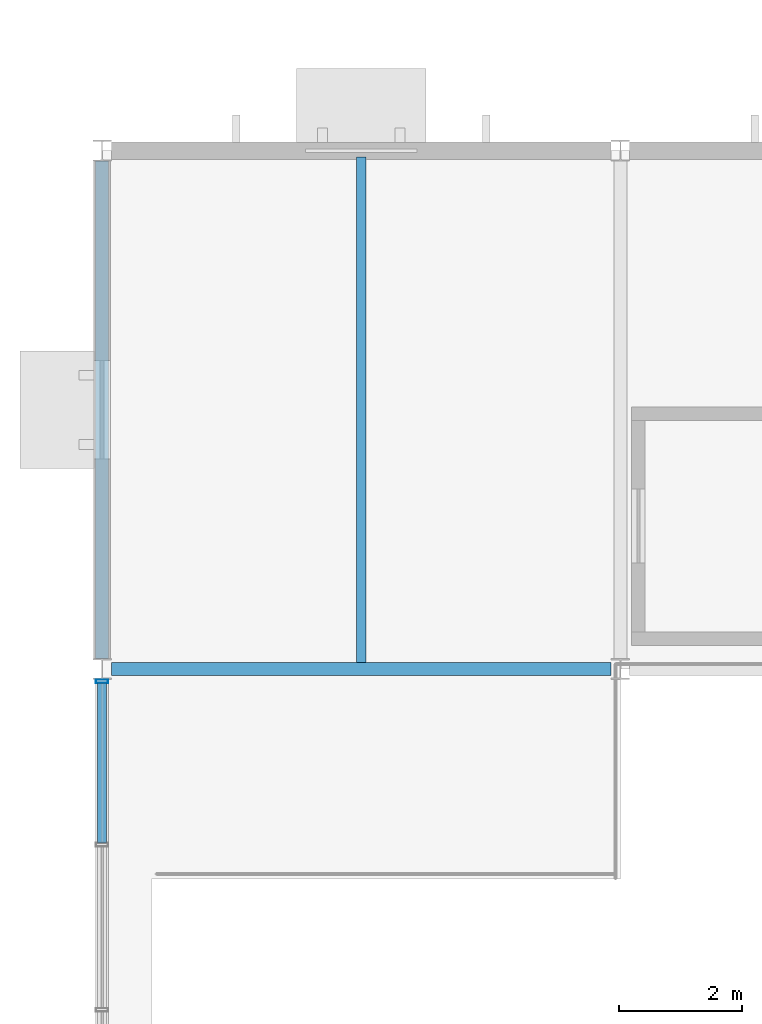
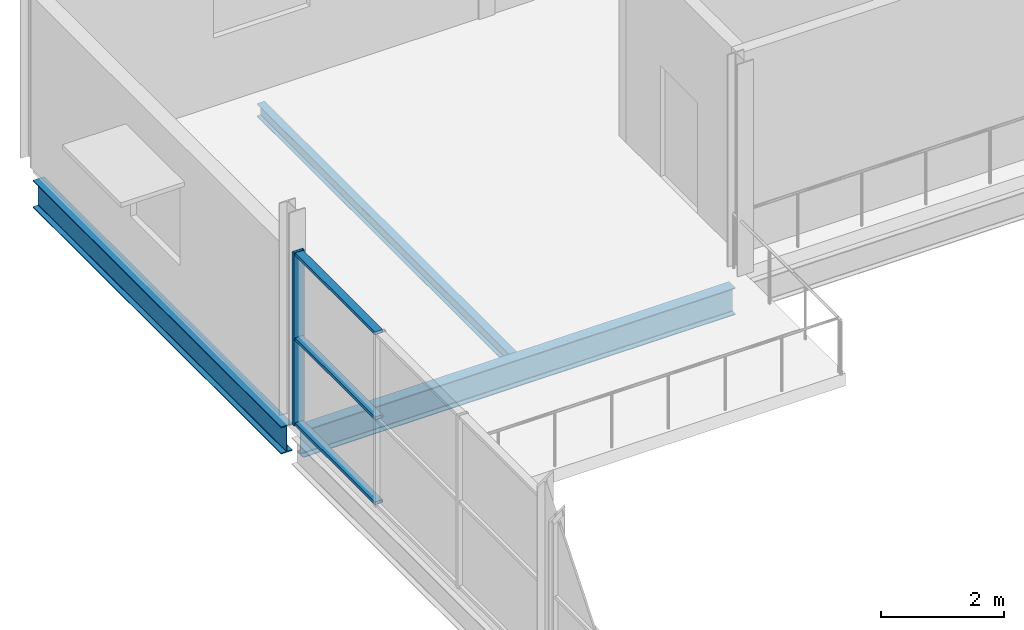
# One storey, part 20 of 68: 4 members, 3 beams, 1 element without a shape of its own.
"""IFC4 building model written with IfcOpenShell, lengths in metres."""

from ifc_helpers import new_model, si_unit, direction, frame, origin, origin_2d, place, context, subcontext, project, spatial, hollow_rectangle, i_section, extrude, material, material_profile, profile_set, type_object, element, aggregate, save


model = new_model("IFC4")

# Units and contexts
model_context = context("Model", 3, precision=1e-05, world=origin(), true_north=direction((0.0, 1.0)))
body_context = subcontext(model_context, "Body", "Model", "MODEL_VIEW")
ifc_project = project(units=[si_unit("LENGTHUNIT", "METRE"), si_unit("AREAUNIT", "SQUARE_METRE"), si_unit("VOLUMEUNIT", "CUBIC_METRE"), si_unit("PLANEANGLEUNIT", "RADIAN"), si_unit("MASSUNIT", "GRAM", prefix="KILO"), si_unit("THERMODYNAMICTEMPERATUREUNIT", "KELVIN")], contexts=[model_context])

# Site, building, storey
site_placement = place(None, origin())
site = spatial("IfcSite", under=ifc_project, at=site_placement, CompositionType="ELEMENT")
building_placement = place(site_placement, origin())
building = spatial("IfcBuilding", under=site, at=building_placement, Name="Nduvali Passage Aquatics Centre", CompositionType="ELEMENT")
storey_placement = place(building_placement, frame((0.0, 0.0, 13.199951171875)))
storey = spatial("IfcBuildingStorey", under=building, at=storey_placement, Name="L03", CompositionType="ELEMENT", Elevation=13.199951171875)

# Curtain wall, members
ifc_material_1 = material(Name="Aluminium EN AW-6063 T6", Category="aluminium")
curtain_wall_type = type_object("IfcCurtainWallType", Name="ENV-CW-DIVE", PredefinedType="NOTDEFINED", material=ifc_material_1)
curtain_wall_placement = place(storey_placement, origin())
curtain_wall = element("IfcCurtainWall", 1, at=curtain_wall_placement, inside=storey, type_object=curtain_wall_type, Name="L03 West Diving 10m Tower Clerestory CW 145", PredefinedType="NOTDEFINED")
ifc_material_profile_1 = material_profile(ifc_material_1, hollow_rectangle(XDim=0.06005859375, YDim=0.199951171875, WallThickness=0.00390625, at=origin_2d()), Name="ALU MULLION 60x200x4")
ifc_profile_set_1 = profile_set([ifc_material_profile_1], Name="Aluminium EN AW-6063 T6")
member_type_1 = type_object("IfcMemberType", Name="ENV-MEM-MUL80", PredefinedType="MULLION", material=ifc_profile_set_1)
member_1_placement = place(storey_placement, frame((0.0, 75.39990234375, 0.0), z_axis=(0.0, 0.0, 1.0), x_axis=(0.0, 1.0, 0.0)))
member_1 = element("IfcMember", 2, at=member_1_placement, type_object=member_type_1, Name="West Diving 10m Tower Clerestory CW Mullion 4", PredefinedType="MULLION", context=body_context, shape_type="SweptSolid", body=[
    extrude(hollow_rectangle(XDim=0.06005859375, YDim=0.199951171875, WallThickness=0.00390625, at=origin_2d()), origin(), (0.0, 0.0, 1.0), 3.4267578125),
])
ifc_material_profile_2 = material_profile(ifc_material_1, hollow_rectangle(XDim=0.14990234375, YDim=0.06005859375, WallThickness=0.00390625, at=origin_2d()), Name="ALU TRANSOM 150x60x4")
ifc_profile_set_2 = profile_set([ifc_material_profile_2], Name="Aluminium EN AW-6063 T6")
member_type_2 = type_object("IfcMemberType", Name="ENV-MEM-TRN80", PredefinedType="USERDEFINED", material=ifc_profile_set_2)
member_2_placement = place(storey_placement, frame((0.0, 72.783203125, 0.030029296875), z_axis=(0.0, 1.0, 0.0), x_axis=(-1.0, 0.0, 0.0)))
member_2 = element("IfcMember", 3, at=member_2_placement, type_object=member_type_2, Name="West Diving 10m Tower Clerestory CW Transom B3-R0", ObjectType="TRANSOM", PredefinedType="USERDEFINED", context=body_context, shape_type="SweptSolid", body=[
    extrude(hollow_rectangle(XDim=0.14990234375, YDim=0.06005859375, WallThickness=0.00390625, at=origin_2d()), origin(), (0.0, 0.0, 1.0), 2.5869140625),
])
member_3_placement = place(storey_placement, frame((0.0, 72.783203125, 1.71337890625), z_axis=(0.0, 1.0, 0.0), x_axis=(-1.0, 0.0, 0.0)))
member_3 = element("IfcMember", 4, at=member_3_placement, type_object=member_type_2, Name="West Diving 10m Tower Clerestory CW Transom B3-R1", ObjectType="TRANSOM", PredefinedType="USERDEFINED", context=body_context, shape_type="SweptSolid", body=[
    extrude(hollow_rectangle(XDim=0.14990234375, YDim=0.06005859375, WallThickness=0.00390625, at=origin_2d()), origin(), (0.0, 0.0, 1.0), 2.5869140625),
])
member_4_placement = place(storey_placement, frame((0.0, 72.783203125, 3.396728515625), z_axis=(0.0, 1.0, 0.0), x_axis=(-1.0, 0.0, 0.0)))
member_4 = element("IfcMember", 5, at=member_4_placement, type_object=member_type_2, Name="West Diving 10m Tower Clerestory CW Transom B3-R2", ObjectType="TRANSOM", PredefinedType="USERDEFINED", context=body_context, shape_type="SweptSolid", body=[
    extrude(hollow_rectangle(XDim=0.14990234375, YDim=0.06005859375, WallThickness=0.00390625, at=origin_2d()), origin(), (0.0, 0.0, 1.0), 2.5869140625),
])
aggregate(curtain_wall, [member_1, member_2, member_3, member_4])

# Beams
ifc_material_2 = material(Name="Steel S355", Category="steel")
ifc_material_profile_3 = material_profile(ifc_material_2, i_section(OverallWidth=0.210693359375, OverallDepth=0.53955078125, WebThickness=0.01171875, FlangeThickness=0.018798828125, FilletRadius=0.0126953125, at=origin_2d()), Name="UKB 533x210x109")
ifc_profile_set_3 = profile_set([ifc_material_profile_3], Name="Steel S355")
beam_type_1 = type_object("IfcBeamType", Name="STR-BM-UKB533-EXT", PredefinedType="BEAM", material=ifc_profile_set_3)
beam_1_placement = place(storey_placement, frame((0.0, 75.77001953125, -0.523681640625), z_axis=(0.0, 1.0, 0.0), x_axis=(-1.0, 0.0, 0.0)))
element("IfcBeam", 6, at=beam_1_placement, inside=storey, type_object=beam_type_1, Name="L03 Primary Y-Girder B6E-1244", PredefinedType="BEAM", context=body_context, shape_type="SweptSolid", body=[
    extrude(i_section(OverallWidth=0.210693359375, OverallDepth=0.53955078125, WebThickness=0.01171875, FlangeThickness=0.018798828125, FilletRadius=0.0126953125, at=origin_2d()), origin(), (0.0, 0.0, 1.0), 8.06005859375),
])
ifc_material_profile_4 = material_profile(ifc_material_2, i_section(OverallWidth=0.209228515625, OverallDepth=0.533203125, WebThickness=0.010009765625, FlangeThickness=0.015625, FilletRadius=0.0126953125, at=origin_2d()), Name="UKB 533x210x92")
ifc_profile_set_4 = profile_set([ifc_material_profile_4], Name="Steel S355")
beam_type_2 = type_object("IfcBeamType", Name="STR-BM-UKB533L", PredefinedType="BEAM", material=ifc_profile_set_4)
beam_2_placement = place(storey_placement, frame((0.14990234375, 75.60009765625, -0.5205078125), z_axis=(1.0, 0.0, 0.0), x_axis=(0.0, 1.0, 0.0)))
element("IfcBeam", 7, at=beam_2_placement, inside=storey, type_object=beam_type_2, Name="L03 Primary X-Girder B6A-1211", PredefinedType="BEAM", context=body_context, shape_type="SweptSolid", body=[
    extrude(i_section(OverallWidth=0.209228515625, OverallDepth=0.533203125, WebThickness=0.010009765625, FlangeThickness=0.015625, FilletRadius=0.0126953125, at=origin_2d()), origin(), (0.0, 0.0, 1.0), 8.10009765625),
])
ifc_material_profile_5 = material_profile(ifc_material_2, i_section(OverallWidth=0.146484375, OverallDepth=0.256103515625, WebThickness=0.00634765625, FlangeThickness=0.010986328125, FilletRadius=0.007568359375, at=origin_2d()), Name="UKB 254x146x37")
ifc_profile_set_5 = profile_set([ifc_material_profile_5], Name="Steel S355")
beam_type_3 = type_object("IfcBeamType", Name="STR-JST-UKB254", PredefinedType="JOIST", material=ifc_profile_set_5)
beam_3_placement = place(storey_placement, frame((4.199951171875, 75.70458984375, -0.3818359375), z_axis=(0.0, 1.0, 0.0), x_axis=(-1.0, 0.0, 0.0)))
element("IfcBeam", 8, at=beam_3_placement, inside=storey, type_object=beam_type_3, Name="L03 Secondary Joist J4-1285", PredefinedType="JOIST", context=body_context, shape_type="SweptSolid", body=[
    extrude(i_section(OverallWidth=0.146484375, OverallDepth=0.256103515625, WebThickness=0.00634765625, FlangeThickness=0.010986328125, FilletRadius=0.007568359375, at=origin_2d()), origin(), (0.0, 0.0, 1.0), 8.190673828125),
])

save(model, "model.ifc")
